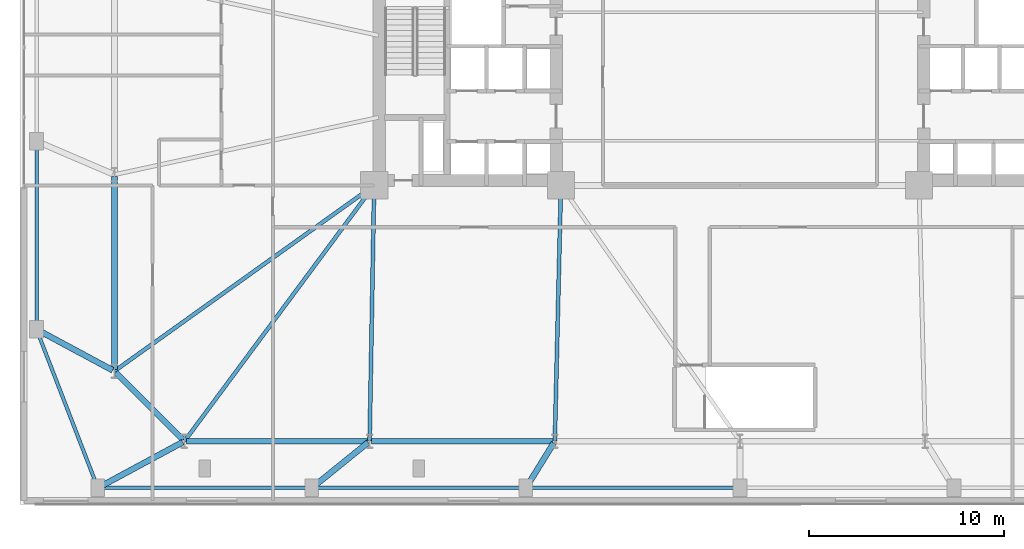
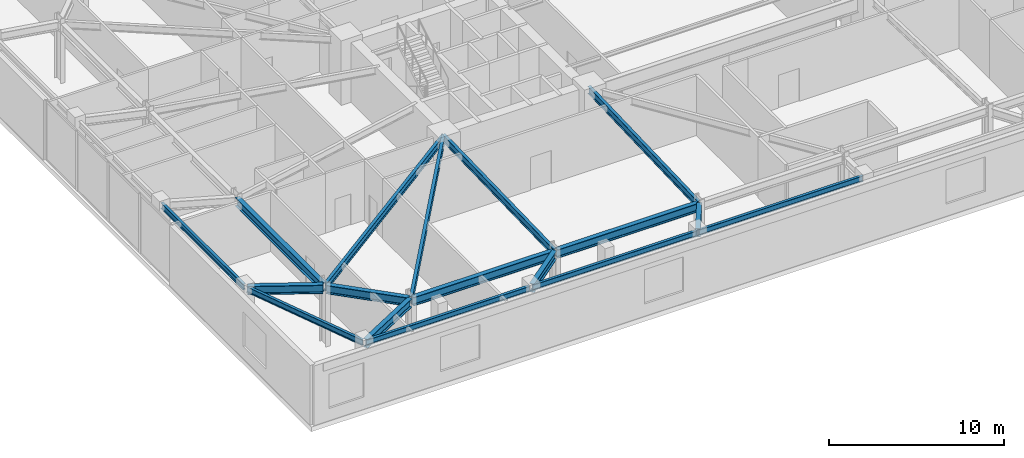
# One storey, part 4 of 21: 17 beams.
"""IFC4 building model written with IfcOpenShell, lengths in metres."""

from ifc_helpers import new_model, si_unit, direction, frame, origin, origin_2d, place, context, subcontext, project, spatial, i_section, extrude, material, material_profile, profile_set, type_object, element, save


model = new_model("IFC4")

# Units and contexts
model_context = context("Model", 3, precision=1e-05, world=origin(), true_north=direction((0.0, 1.0)))
body_context = subcontext(model_context, "Body", "Model", "MODEL_VIEW")
ifc_project = project(units=[si_unit("LENGTHUNIT", "METRE"), si_unit("AREAUNIT", "SQUARE_METRE"), si_unit("VOLUMEUNIT", "CUBIC_METRE"), si_unit("PLANEANGLEUNIT", "RADIAN"), si_unit("MASSUNIT", "GRAM", prefix="KILO")], contexts=[model_context])

# Site, building, storey
site_placement = place(None, origin())
site = spatial("IfcSite", under=ifc_project, at=site_placement, CompositionType="ELEMENT")
building_placement = place(site_placement, origin())
building = spatial("IfcBuilding", under=site, at=building_placement, Name="Qobustan Lattice House", CompositionType="ELEMENT")
storey_placement = place(building_placement, frame((0.0, 0.0, 22.5)))
storey = spatial("IfcBuildingStorey", under=building, at=storey_placement, Name="L05", CompositionType="ELEMENT", Elevation=22.5)

# Beams
ifc_material_1 = material(Name="Steel S355", Category="steel")
ifc_material_profile_1 = material_profile(ifc_material_1, i_section(OverallWidth=0.199951171875, OverallDepth=0.5, WebThickness=0.01025390625, FlangeThickness=0.01611328125, FilletRadius=0.02099609375, at=origin_2d()), Name="IPE500")
ifc_profile_set_1 = profile_set([ifc_material_profile_1], Name="Steel S355")
beam_type_1 = type_object("IfcBeamType", Name="BM-FLG-IPE500", PredefinedType="USERDEFINED", material=ifc_profile_set_1)
beam_1_placement = place(storey_placement, frame((-28.53515625, -18.72998046875, 3.909912109375), z_axis=(0.5955916815, 0.803287338956, 0.0), x_axis=(-0.803287338956, 0.5955916815, 0.0)))
element("IfcBeam", 1, at=beam_1_placement, inside=storey, type_object=beam_type_1, Name="L05 primary floor girder RAD-S1W", ObjectType="GIRDER", PredefinedType="USERDEFINED", context=body_context, shape_type="SweptSolid", body=[
    extrude(i_section(OverallWidth=0.199951171875, OverallDepth=0.5, WebThickness=0.01025390625, FlangeThickness=0.01611328125, FilletRadius=0.02099609375, at=origin_2d()), origin(), (0.0, 0.0, 1.0), 16.3203125),
])
beam_2_placement = place(storey_placement, frame((-19.032958984375, -18.72509765625, 3.909912109375), z_axis=(0.017757831607, 0.999842317276, 0.0), x_axis=(-0.999842317276, 0.017757831607, 0.0)))
element("IfcBeam", 2, at=beam_2_placement, inside=storey, type_object=beam_type_1, Name="L05 primary floor girder RAD-S2", ObjectType="GIRDER", PredefinedType="USERDEFINED", context=body_context, shape_type="SweptSolid", body=[
    extrude(i_section(OverallWidth=0.199951171875, OverallDepth=0.5, WebThickness=0.01025390625, FlangeThickness=0.01611328125, FilletRadius=0.02099609375, at=origin_2d()), origin(), (0.0, 0.0, 1.0), 13.10205078125),
])
beam_3_placement = place(storey_placement, frame((-9.51611328125, -18.72509765625, 3.909912109375), z_axis=(0.024071445657, 0.999710240772, 0.0), x_axis=(-0.999710240772, 0.024071445657, 0.0)))
element("IfcBeam", 3, at=beam_3_placement, inside=storey, type_object=beam_type_1, Name="L05 primary floor girder RAD-S3", ObjectType="GIRDER", PredefinedType="USERDEFINED", context=body_context, shape_type="SweptSolid", body=[
    extrude(i_section(OverallWidth=0.199951171875, OverallDepth=0.5, WebThickness=0.01025390625, FlangeThickness=0.01611328125, FilletRadius=0.02099609375, at=origin_2d()), origin(), (0.0, 0.0, 1.0), 13.10400390625),
])
beam_4_placement = place(storey_placement, frame((-32.129638671875, -15.135498046875, 3.909912109375), z_axis=(0.813318954893, 0.581818079481, 0.0), x_axis=(-0.581818079481, 0.813318954893, 0.0)))
element("IfcBeam", 4, at=beam_4_placement, inside=storey, type_object=beam_type_1, Name="L05 primary floor girder RAD-W4", ObjectType="GIRDER", PredefinedType="USERDEFINED", context=body_context, shape_type="SweptSolid", body=[
    extrude(i_section(OverallWidth=0.199951171875, OverallDepth=0.5, WebThickness=0.01025390625, FlangeThickness=0.01611328125, FilletRadius=0.02099609375, at=origin_2d()), origin(), (0.0, 0.0, 1.0), 16.3642578125),
])
ifc_material_2 = material(Name="Steel S355", Category="steel")
ifc_material_profile_2 = material_profile(ifc_material_2, i_section(OverallWidth=0.300048828125, OverallDepth=0.60009765625, WebThickness=0.015380859375, FlangeThickness=0.030029296875, FilletRadius=0.027099609375, at=origin_2d()), Name="HEB600")
ifc_profile_set_2 = profile_set([ifc_material_profile_2], Name="Steel S355")
beam_type_2 = type_object("IfcBeamType", Name="BM-POD-HEB600", PredefinedType="USERDEFINED", material=ifc_profile_set_2)
for number, where, z_axis, x_axis, name in (
    (5, (-28.449951171875, -18.75, 3.860107421875), (1.0, 0.0, 0.0), (0.0, 1.0, 0.0), "L05 tower base ring girder S1-S2"),
    (6, (-18.933349609375, -18.75, 3.860107421875), (1.0, 0.0, 0.0), (0.0, 1.0, 0.0), "L05 tower base ring girder S2-S3"),
):
    element("IfcBeam", number, at=place(storey_placement, frame(where, z_axis=z_axis, x_axis=x_axis)), inside=storey, type_object=beam_type_2, Name=name, ObjectType="GIRDER", PredefinedType="USERDEFINED", context=body_context, shape_type="SweptSolid", body=[
        extrude(i_section(OverallWidth=0.300048828125, OverallDepth=0.60009765625, WebThickness=0.015380859375, FlangeThickness=0.030029296875, FilletRadius=0.027099609375, at=origin_2d()), origin(), (0.0, 0.0, 1.0), 9.316650390625),
    ])
beam_5_placement = place(storey_placement, frame((-32.14990234375, -5.14990234375, 3.860107421875), z_axis=(0.0, -1.0, 0.0), x_axis=(1.0, 0.0, 0.0)))
element("IfcBeam", 7, at=beam_5_placement, inside=storey, type_object=beam_type_2, Name="L05 tower base ring girder W3-W4", ObjectType="GIRDER", PredefinedType="USERDEFINED", context=body_context, shape_type="SweptSolid", body=[
    extrude(i_section(OverallWidth=0.300048828125, OverallDepth=0.60009765625, WebThickness=0.015380859375, FlangeThickness=0.030029296875, FilletRadius=0.027099609375, at=origin_2d()), origin(), (0.0, 0.0, 1.0), 9.900146484375),
])
beam_6_placement = place(storey_placement, frame((-32.079345703125, -15.220703125, 3.860107421875), z_axis=(0.70713173775, -0.707081823743, 0.0), x_axis=(0.707081823743, 0.70713173775, 0.0)))
element("IfcBeam", 8, at=beam_6_placement, inside=storey, type_object=beam_type_2, Name="L05 tower base ring girder W4-S1", ObjectType="GIRDER", PredefinedType="USERDEFINED", context=body_context, shape_type="SweptSolid", body=[
    extrude(i_section(OverallWidth=0.300048828125, OverallDepth=0.60009765625, WebThickness=0.015380859375, FlangeThickness=0.030029296875, FilletRadius=0.027099609375, at=origin_2d()), origin(), (0.0, 0.0, 1.0), 4.89111328125),
])
beam_7_placement = place(storey_placement, frame((-32.894287109375, -21.093017578125, 3.860107421875), z_axis=(0.88016615165, 0.474665719732, 0.0), x_axis=(-0.474665719732, 0.88016615165, 0.0)))
element("IfcBeam", 9, at=beam_7_placement, inside=storey, type_object=beam_type_2, Name="L05 podium radial girder PS1", ObjectType="GIRDER", PredefinedType="USERDEFINED", context=body_context, shape_type="SweptSolid", body=[
    extrude(i_section(OverallWidth=0.300048828125, OverallDepth=0.60009765625, WebThickness=0.015380859375, FlangeThickness=0.030029296875, FilletRadius=0.027099609375, at=origin_2d()), origin(), (0.0, 0.0, 1.0), 4.8359375),
])
beam_8_placement = place(storey_placement, frame((-21.90673828125, -21.074462890625, 3.860107421875), z_axis=(0.777472502595, 0.62891693228, 0.0), x_axis=(-0.62891693228, 0.777472502595, 0.0)))
element("IfcBeam", 10, at=beam_8_placement, inside=storey, type_object=beam_type_2, Name="L05 podium radial girder PS2", ObjectType="GIRDER", PredefinedType="USERDEFINED", context=body_context, shape_type="SweptSolid", body=[
    extrude(i_section(OverallWidth=0.300048828125, OverallDepth=0.60009765625, WebThickness=0.015380859375, FlangeThickness=0.030029296875, FilletRadius=0.027099609375, at=origin_2d()), origin(), (0.0, 0.0, 1.0), 3.595703125),
])
beam_9_placement = place(storey_placement, frame((-10.93701171875, -21.0478515625, 3.860107421875), z_axis=(0.525782588011, 0.850618992349, 0.0), x_axis=(-0.850618992349, 0.525782588011, 0.0)))
element("IfcBeam", 11, at=beam_9_placement, inside=storey, type_object=beam_type_2, Name="L05 podium radial girder PS3", ObjectType="GIRDER", PredefinedType="USERDEFINED", context=body_context, shape_type="SweptSolid", body=[
    extrude(i_section(OverallWidth=0.300048828125, OverallDepth=0.60009765625, WebThickness=0.015380859375, FlangeThickness=0.030029296875, FilletRadius=0.027099609375, at=origin_2d()), origin(), (0.0, 0.0, 1.0), 2.601318359375),
])
beam_10_placement = place(storey_placement, frame((-36.044189453125, -13.056884765625, 3.860107421875), z_axis=(0.880815561441, -0.473459551307, 0.0), x_axis=(0.473459551307, 0.880815561441, 0.0)))
element("IfcBeam", 12, at=beam_10_placement, inside=storey, type_object=beam_type_2, Name="L05 podium radial girder PW1", ObjectType="GIRDER", PredefinedType="USERDEFINED", context=body_context, shape_type="SweptSolid", body=[
    extrude(i_section(OverallWidth=0.300048828125, OverallDepth=0.60009765625, WebThickness=0.015380859375, FlangeThickness=0.030029296875, FilletRadius=0.027099609375, at=origin_2d()), origin(), (0.0, 0.0, 1.0), 4.3212890625),
])
ifc_material_3 = material(Name="Steel S355", Category="steel")
ifc_material_profile_3 = material_profile(ifc_material_3, i_section(OverallWidth=0.179931640625, OverallDepth=0.39990234375, WebThickness=0.008544921875, FlangeThickness=0.013427734375, FilletRadius=0.02099609375, at=origin_2d()), Name="IPE400")
ifc_profile_set_3 = profile_set([ifc_material_profile_3], Name="Steel S355")
beam_type_3 = type_object("IfcBeamType", Name="BM-SPD-IPE400", PredefinedType="SPANDREL", material=ifc_profile_set_3)
for number, where, z_axis, x_axis, name in (
    (13, (-32.8798828125, -21.14990234375, 3.9599609375), (1.0, 0.0, 0.0), (0.0, 1.0, 0.0), "L05 podium spandrel PS1-PS2"),
    (14, (-21.8798828125, -21.14990234375, 3.9599609375), (1.0, 0.0, 0.0), (0.0, 1.0, 0.0), "L05 podium spandrel PS2-PS3"),
    (15, (-10.8798828125, -21.14990234375, 3.9599609375), (1.0, 0.0, 0.0), (0.0, 1.0, 0.0), "L05 podium spandrel PS3-PS4"),
):
    element("IfcBeam", number, at=place(storey_placement, frame(where, z_axis=z_axis, x_axis=x_axis)), inside=storey, type_object=beam_type_3, Name=name, PredefinedType="SPANDREL", context=body_context, shape_type="SweptSolid", body=[
        extrude(i_section(OverallWidth=0.179931640625, OverallDepth=0.39990234375, WebThickness=0.008544921875, FlangeThickness=0.013427734375, FilletRadius=0.02099609375, at=origin_2d()), origin(), (0.0, 0.0, 1.0), 10.759765625),
    ])
beam_11_placement = place(storey_placement, frame((-36.14990234375, -12.8798828125, 3.9599609375), z_axis=(0.0, 1.0, 0.0), x_axis=(-1.0, 0.0, 0.0)))
element("IfcBeam", 16, at=beam_11_placement, inside=storey, type_object=beam_type_3, Name="L05 podium spandrel PW1-PW2", PredefinedType="SPANDREL", context=body_context, shape_type="SweptSolid", body=[
    extrude(i_section(OverallWidth=0.179931640625, OverallDepth=0.39990234375, WebThickness=0.008544921875, FlangeThickness=0.013427734375, FilletRadius=0.02099609375, at=origin_2d()), origin(), (0.0, 0.0, 1.0), 9.426513671875),
])
beam_12_placement = place(storey_placement, frame((-33.043212890625, -21.0380859375, 3.9599609375), z_axis=(-0.360507225068, 0.93275642087, 0.0), x_axis=(-0.93275642087, -0.360507225068, 0.0)))
element("IfcBeam", 17, at=beam_12_placement, inside=storey, type_object=beam_type_3, Name="L05 podium corner tie PS1-PW1", PredefinedType="SPANDREL", context=body_context, shape_type="SweptSolid", body=[
    extrude(i_section(OverallWidth=0.179931640625, OverallDepth=0.39990234375, WebThickness=0.008544921875, FlangeThickness=0.013427734375, FilletRadius=0.02099609375, at=origin_2d()), origin(), (0.0, 0.0, 1.0), 8.497802734375),
])

save(model, "model.ifc")
